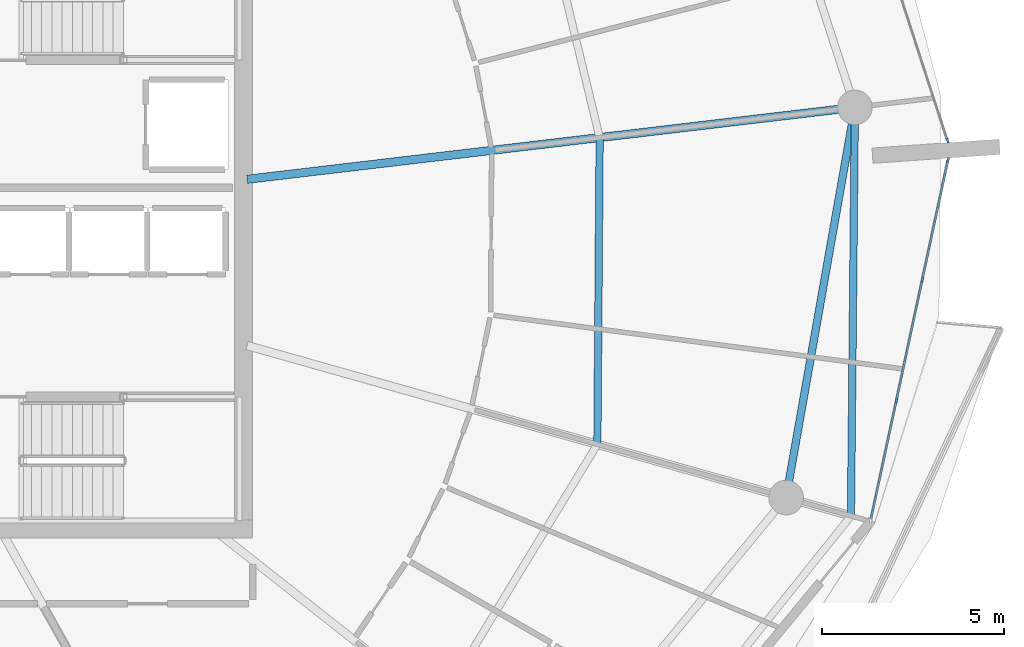
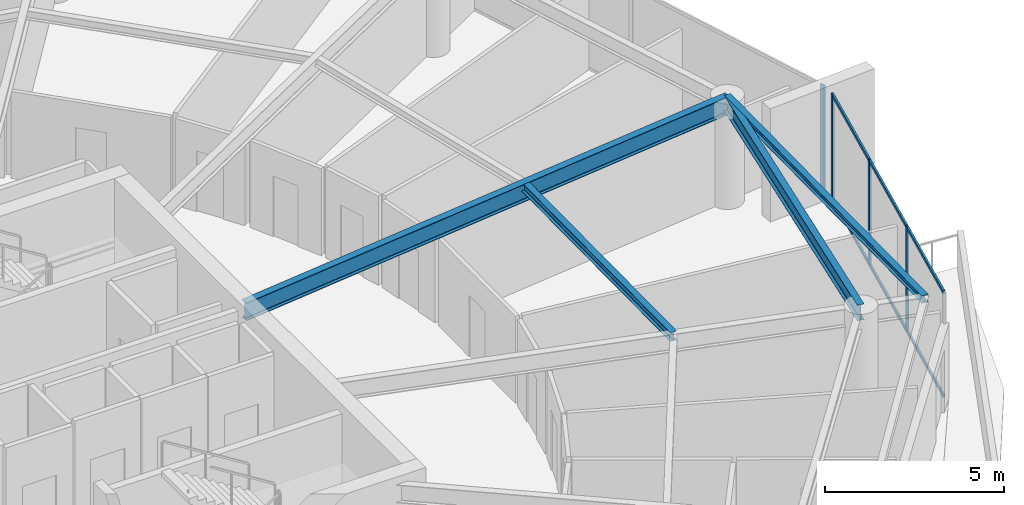
# One storey, part 11 of 30: 10 members, 4 beams, 2 elements without a shape of their own.
"""IFC4 building model written with IfcOpenShell, lengths in metres."""

from ifc_helpers import new_model, si_unit, direction, frame, origin, origin_2d, place, context, subcontext, project, spatial, rectangle, i_section, extrude, material, layer, layer_set, material_profile, profile_set, type_object, element, aggregate, save


model = new_model("IFC4")

# Units and contexts
model_context = context("Model", 3, precision=1e-05, world=origin(), true_north=direction((0.0, 1.0)))
body_context = subcontext(model_context, "Body", "Model", "MODEL_VIEW")
ifc_project = project(units=[si_unit("LENGTHUNIT", "METRE"), si_unit("AREAUNIT", "SQUARE_METRE"), si_unit("VOLUMEUNIT", "CUBIC_METRE"), si_unit("PLANEANGLEUNIT", "RADIAN"), si_unit("MASSUNIT", "GRAM", prefix="KILO")], contexts=[model_context])

# Site, building, storey
site_placement = place(None, origin())
site = spatial("IfcSite", under=ifc_project, at=site_placement, CompositionType="ELEMENT")
building_placement = place(site_placement, origin())
building = spatial("IfcBuilding", under=site, at=building_placement, Name="Kazma Halo Residences", CompositionType="ELEMENT")
storey_placement = place(building_placement, frame((0.0, 0.0, 294.449951171875)))
storey = spatial("IfcBuildingStorey", under=building, at=storey_placement, Name="L74", CompositionType="ELEMENT", Elevation=294.449951171875)

# Beams
ifc_material_1 = material(Name="Steel S355", Category="steel")
ifc_material_profile_1 = material_profile(ifc_material_1, i_section(OverallWidth=0.201904296875, OverallDepth=0.2470703125, WebThickness=0.00732421875, FlangeThickness=0.010986328125, FilletRadius=0.011962890625, at=origin_2d()), Name="W250x49.1")
ifc_profile_set_1 = profile_set([ifc_material_profile_1], Name="Steel S355")
beam_type_1 = type_object("IfcBeamType", Name="BM-BAL-CANT", PredefinedType="BEAM", material=ifc_profile_set_1)
beam_1_placement = place(storey_placement, frame((75.971435546875, 34.111083984375, 3.466552734375), z_axis=(0.009645503464, 0.999953481049, 0.0), x_axis=(-0.999953481049, 0.009645503464, 0.0)))
element("IfcBeam", 1, at=beam_1_placement, inside=storey, type_object=beam_type_1, Name="L74 wave-balcony tie beam 15", PredefinedType="BEAM", context=body_context, shape_type="SweptSolid", body=[
    extrude(i_section(OverallWidth=0.201904296875, OverallDepth=0.2470703125, WebThickness=0.00732421875, FlangeThickness=0.010986328125, FilletRadius=0.011962890625, at=origin_2d()), origin(), (0.0, 0.0, 1.0), 11.212890625),
])
ifc_material_profile_2 = material_profile(ifc_material_1, i_section(OverallWidth=0.22802734375, OverallDepth=0.60791015625, WebThickness=0.01123046875, FlangeThickness=0.017333984375, FilletRadius=0.01806640625, at=origin_2d()), Name="W610x113")
ifc_profile_set_2 = profile_set([ifc_material_profile_2], Name="Steel S355")
beam_type_2 = type_object("IfcBeamType", Name="BM-RAD-W610", PredefinedType="BEAM", material=ifc_profile_set_2)
beam_2_placement = place(storey_placement, frame((59.39990234375, 43.349365234375, 3.2861328125), z_axis=(0.993068804541, 0.117534460678, 0.0), x_axis=(-0.117534460678, 0.993068804541, 0.0)))
element("IfcBeam", 2, at=beam_2_placement, inside=storey, type_object=beam_type_2, Name="L74 radial floor beam 16", PredefinedType="BEAM", context=body_context, shape_type="SweptSolid", body=[
    extrude(i_section(OverallWidth=0.22802734375, OverallDepth=0.60791015625, WebThickness=0.01123046875, FlangeThickness=0.017333984375, FilletRadius=0.01806640625, at=origin_2d()), origin(), (0.0, 0.0, 1.0), 16.796142578125),
])
ifc_material_profile_3 = material_profile(ifc_material_1, i_section(OverallWidth=0.202880859375, OverallDepth=0.302978515625, WebThickness=0.007568359375, FlangeThickness=0.01318359375, FilletRadius=0.013916015625, at=origin_2d()), Name="W310x60")
ifc_profile_set_3 = profile_set([ifc_material_profile_3], Name="Steel S355")
beam_type_3 = type_object("IfcBeamType", Name="BM-SEC-W310A", PredefinedType="JOIST", material=ifc_profile_set_3)
beam_3_placement = place(storey_placement, frame((69.011474609375, 36.07421875, 3.4384765625), z_axis=(0.007451444375, 0.999972237603, 0.0), x_axis=(-0.999972237603, 0.007451444375, 0.0)))
element("IfcBeam", 3, at=beam_3_placement, inside=storey, type_object=beam_type_3, Name="L74 circumferential floor joist 15", PredefinedType="JOIST", context=body_context, shape_type="SweptSolid", body=[
    extrude(i_section(OverallWidth=0.202880859375, OverallDepth=0.302978515625, WebThickness=0.007568359375, FlangeThickness=0.01318359375, FilletRadius=0.013916015625, at=origin_2d()), origin(), (0.0, 0.0, 1.0), 8.42041015625),
])
ifc_material_profile_4 = material_profile(ifc_material_1, i_section(OverallWidth=0.208984375, OverallDepth=0.532958984375, WebThickness=0.01025390625, FlangeThickness=0.015625, FilletRadius=0.01611328125, at=origin_2d()), Name="W530x92")
ifc_profile_set_4 = profile_set([ifc_material_profile_4], Name="Steel S355")
beam_type_4 = type_object("IfcBeamType", Name="BM-SPN-W530", PredefinedType="BEAM", material=ifc_profile_set_4)
beam_4_placement = place(storey_placement, frame((74.19091796875, 34.61328125, 3.323486328125), z_axis=(0.173663672311, 0.984805020763, 0.0), x_axis=(-0.984805020763, 0.173663672311, 0.0)))
element("IfcBeam", 4, at=beam_4_placement, inside=storey, type_object=beam_type_4, Name="L74 perimeter ring beam 15", PredefinedType="BEAM", context=body_context, shape_type="SweptSolid", body=[
    extrude(i_section(OverallWidth=0.208984375, OverallDepth=0.532958984375, WebThickness=0.01025390625, FlangeThickness=0.015625, FilletRadius=0.01611328125, at=origin_2d()), origin(), (0.0, 0.0, 1.0), 10.87548828125),
])

# Curtain wall, members
ifc_material_2 = material(Name="Aluminium AW-6063 T6 and Triple-Silver Low-E Glass", Category="aluminium")
ifc_layer = layer(ifc_material_2, 0.139892578125)
ifc_layer_set = layer_set([ifc_layer], Name="Aluminium AW-6063 T6 and Triple-Silver Low-E Glass")
curtain_wall_type = type_object("IfcCurtainWallType", Name="CW-SYS-5", PredefinedType="NOTDEFINED", material=ifc_layer_set)
curtain_wall_1_placement = place(storey_placement, origin())
curtain_wall_1 = element("IfcCurtainWall", 5, at=curtain_wall_1_placement, inside=storey, type_object=curtain_wall_type, Name="L74 unitised curtain wall B15", PredefinedType="NOTDEFINED")
ifc_material_3 = material(Name="Aluminium AW-6063 T6", Category="aluminium")
ifc_material_profile_5 = material_profile(ifc_material_3, rectangle(XDim=0.06005859375, YDim=0.139892578125, at=origin_2d()), Name="CWM-60x140")
ifc_profile_set_5 = profile_set([ifc_material_profile_5], Name="Aluminium AW-6063 T6")
member_type_1 = type_object("IfcMemberType", Name="CW-SYS-5-MUL", PredefinedType="MULLION", material=ifc_profile_set_5)
member_1_placement = place(storey_placement, frame((77.218994140625, 37.2734375, 0.0), z_axis=(0.0, 0.0, 1.0), x_axis=(-0.97777491373, 0.209657382603, 0.0)))
member_1 = element("IfcMember", 6, at=member_1_placement, type_object=member_type_1, Name="CWS-5 mullion 2", PredefinedType="MULLION", context=body_context, shape_type="SweptSolid", body=[
    extrude(rectangle(XDim=0.06005859375, YDim=0.139892578125, at=origin_2d()), origin(), (0.0, 0.0, 1.0), 3.590087890625),
])
member_2_placement = place(storey_placement, frame((77.9296875, 40.587158203125, 0.0), z_axis=(0.0, 0.0, 1.0), x_axis=(-0.97777491373, 0.209657382603, 0.0)))
member_2 = element("IfcMember", 7, at=member_2_placement, type_object=member_type_1, Name="CWS-5 mullion 3", PredefinedType="MULLION", context=body_context, shape_type="SweptSolid", body=[
    extrude(rectangle(XDim=0.06005859375, YDim=0.139892578125, at=origin_2d()), origin(), (0.0, 0.0, 1.0), 3.590087890625),
])
member_3_placement = place(storey_placement, frame((78.6337890625, 43.87158203125, 0.0), z_axis=(0.0, 0.0, 1.0), x_axis=(-0.97777491373, 0.209657382603, 0.0)))
member_3 = element("IfcMember", 8, at=member_3_placement, type_object=member_type_1, Name="CWS-5 mullion 4", PredefinedType="MULLION", context=body_context, shape_type="SweptSolid", body=[
    extrude(rectangle(XDim=0.06005859375, YDim=0.139892578125, at=origin_2d()), origin(), (0.0, 0.0, 1.0), 3.590087890625),
])

# Curtain wall, member
curtain_wall_2_placement = place(storey_placement, origin())
curtain_wall_2 = element("IfcCurtainWall", 9, at=curtain_wall_2_placement, inside=storey, type_object=curtain_wall_type, Name="L74 unitised curtain wall B16", PredefinedType="NOTDEFINED")
member_4_placement = place(storey_placement, frame((78.622802734375, 44.412353515625, 0.0), z_axis=(0.0, 0.0, 1.0), x_axis=(-0.951058464359, -0.309010998786, 0.0)))
member_4 = element("IfcMember", 10, at=member_4_placement, type_object=member_type_1, Name="CWS-5 mullion 1", PredefinedType="MULLION", context=body_context, shape_type="SweptSolid", body=[
    extrude(rectangle(XDim=0.06005859375, YDim=0.139892578125, at=origin_2d()), origin(), (0.0, 0.0, 1.0), 3.590087890625),
])
aggregate(curtain_wall_2, [member_4])

# Member
ifc_material_profile_6 = material_profile(ifc_material_3, rectangle(XDim=0.06005859375, YDim=0.10498046875, at=origin_2d()), Name="CWT-60x105")
ifc_profile_set_6 = profile_set([ifc_material_profile_6], Name="Aluminium AW-6063 T6")
member_type_2 = type_object("IfcMemberType", Name="CW-SYS-5-TRN", PredefinedType="USERDEFINED", material=ifc_profile_set_6)
member_5_placement = place(storey_placement, frame((76.52099609375, 34.0185546875, 0.030029296875), z_axis=(0.209660493552, 0.977774246666, 0.0), x_axis=(-0.977774246666, 0.209660493552, 0.0)))
member_5 = element("IfcMember", 11, at=member_5_placement, type_object=member_type_2, Name="CWS-5 transom 1.1", ObjectType="TRANSOM", PredefinedType="USERDEFINED", context=body_context, shape_type="SweptSolid", body=[
    extrude(rectangle(XDim=0.06005859375, YDim=0.10498046875, at=origin_2d()), origin(), (0.0, 0.0, 1.0), 3.298828125),
])

member_6_placement = place(storey_placement, frame((76.52099609375, 34.0185546875, 3.56005859375), z_axis=(0.209660493552, 0.977774246666, 0.0), x_axis=(-0.977774246666, 0.209660493552, 0.0)))
member_6 = element("IfcMember", 12, at=member_6_placement, type_object=member_type_2, Name="CWS-5 transom 1.2", ObjectType="TRANSOM", PredefinedType="USERDEFINED", context=body_context, shape_type="SweptSolid", body=[
    extrude(rectangle(XDim=0.06005859375, YDim=0.10498046875, at=origin_2d()), origin(), (0.0, 0.0, 1.0), 3.298828125),
])

member_7_placement = place(storey_placement, frame((77.225341796875, 37.302734375, 0.030029296875), z_axis=(0.209664309019, 0.977773428522, 0.0), x_axis=(-0.977773428522, 0.209664309019, 0.0)))
member_7 = element("IfcMember", 13, at=member_7_placement, type_object=member_type_2, Name="CWS-5 transom 2.1", ObjectType="TRANSOM", PredefinedType="USERDEFINED", context=body_context, shape_type="SweptSolid", body=[
    extrude(rectangle(XDim=0.06005859375, YDim=0.10498046875, at=origin_2d()), origin(), (0.0, 0.0, 1.0), 3.3291015625),
])

member_8_placement = place(storey_placement, frame((77.225341796875, 37.302734375, 3.56005859375), z_axis=(0.209664309019, 0.977773428522, 0.0), x_axis=(-0.977773428522, 0.209664309019, 0.0)))
member_8 = element("IfcMember", 14, at=member_8_placement, type_object=member_type_2, Name="CWS-5 transom 2.2", ObjectType="TRANSOM", PredefinedType="USERDEFINED", context=body_context, shape_type="SweptSolid", body=[
    extrude(rectangle(XDim=0.06005859375, YDim=0.10498046875, at=origin_2d()), origin(), (0.0, 0.0, 1.0), 3.3291015625),
])

member_9_placement = place(storey_placement, frame((77.935791015625, 40.616455078125, 0.030029296875), z_axis=(0.209645323239, 0.977777499457, 0.0), x_axis=(-0.977777499457, 0.209645323239, 0.0)))
member_9 = element("IfcMember", 15, at=member_9_placement, type_object=member_type_2, Name="CWS-5 transom 3.1", ObjectType="TRANSOM", PredefinedType="USERDEFINED", context=body_context, shape_type="SweptSolid", body=[
    extrude(rectangle(XDim=0.06005859375, YDim=0.10498046875, at=origin_2d()), origin(), (0.0, 0.0, 1.0), 3.299072265625),
])

member_10_placement = place(storey_placement, frame((77.935791015625, 40.616455078125, 3.56005859375), z_axis=(0.209645323239, 0.977777499457, 0.0), x_axis=(-0.977777499457, 0.209645323239, 0.0)))
member_10 = element("IfcMember", 16, at=member_10_placement, type_object=member_type_2, Name="CWS-5 transom 3.2", ObjectType="TRANSOM", PredefinedType="USERDEFINED", context=body_context, shape_type="SweptSolid", body=[
    extrude(rectangle(XDim=0.06005859375, YDim=0.10498046875, at=origin_2d()), origin(), (0.0, 0.0, 1.0), 3.299072265625),
])

aggregate(curtain_wall_1, [member_1, member_2, member_3, member_5, member_6, member_7, member_8, member_9, member_10])

save(model, "model.ifc")
